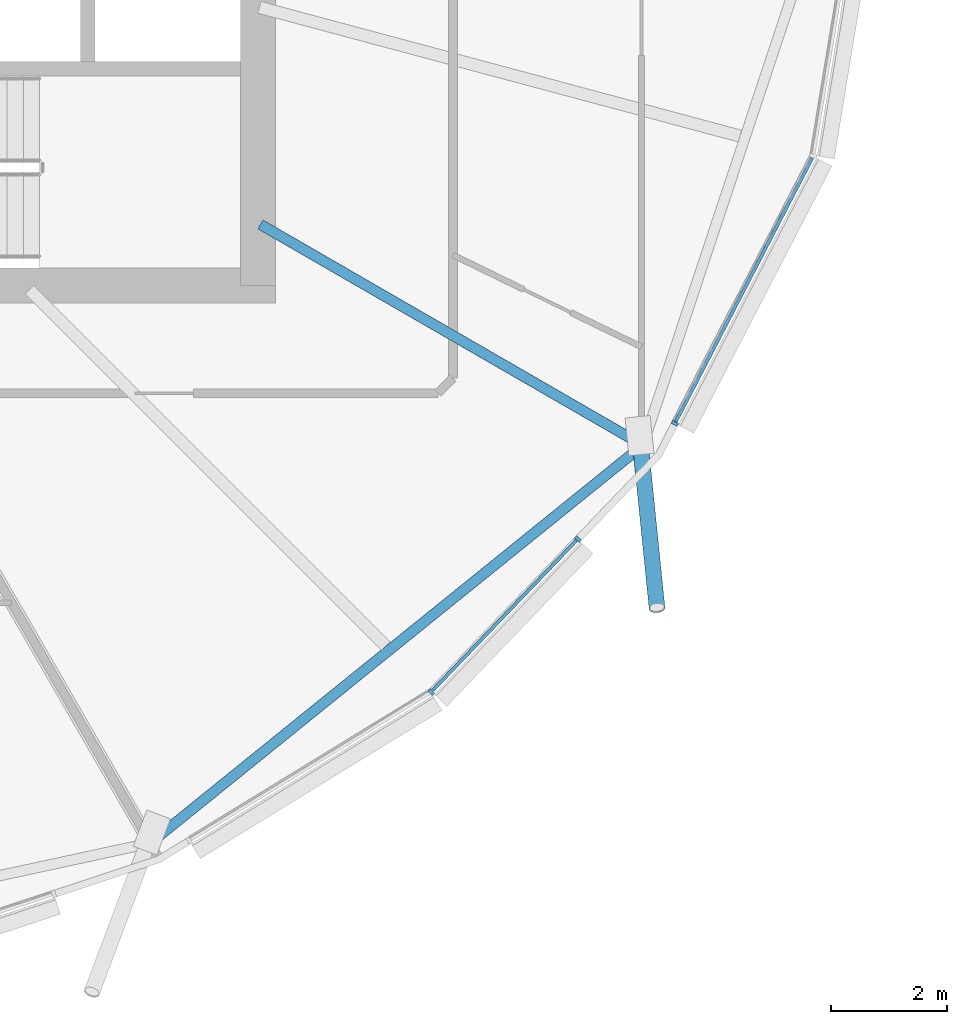
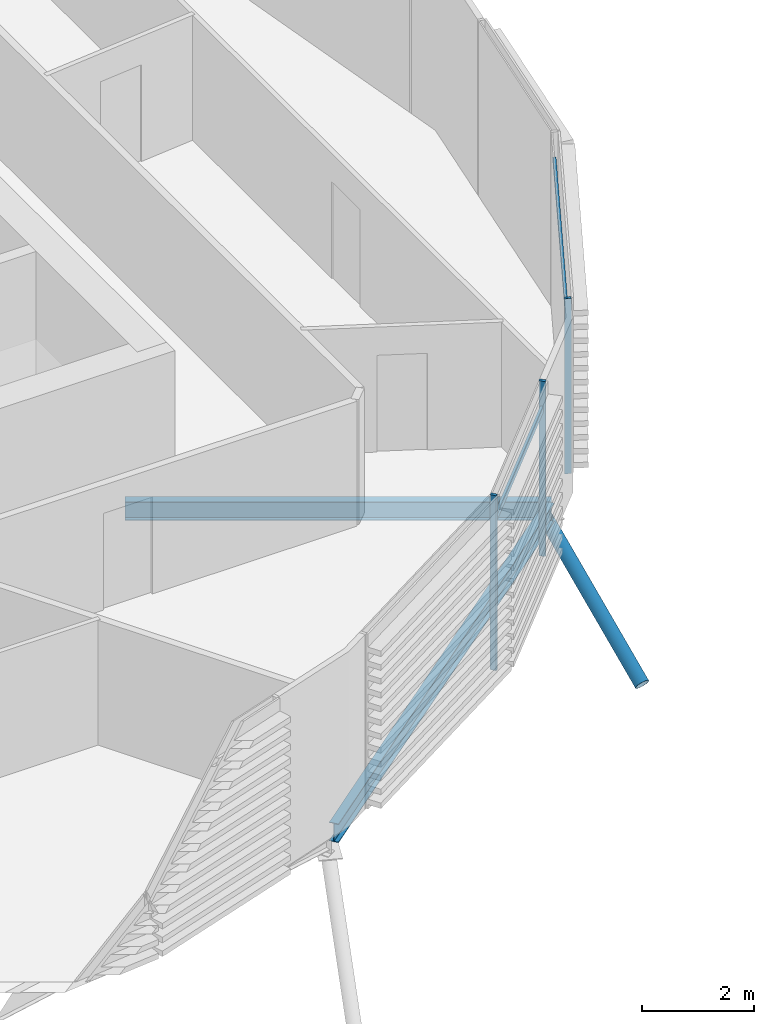
# One storey, part 6 of 37: 6 members, 2 beams, 1 element without a shape of its own.
"""IFC4 building model written with IfcOpenShell, lengths in metres."""

from ifc_helpers import new_model, si_unit, direction, frame, origin, origin_2d, place, context, subcontext, project, spatial, rectangle, hollow_circle, i_section, extrude, clip, halfspace, material, material_profile, profile_set, type_object, element, aggregate, save


model = new_model("IFC4")

# Units and contexts
model_context = context("Model", 3, precision=1e-05, world=origin(), true_north=direction((0.0, 1.0)))
body_context = subcontext(model_context, "Body", "Model", "MODEL_VIEW")
ifc_project = project(units=[si_unit("LENGTHUNIT", "METRE"), si_unit("AREAUNIT", "SQUARE_METRE"), si_unit("VOLUMEUNIT", "CUBIC_METRE"), si_unit("PLANEANGLEUNIT", "RADIAN"), si_unit("MASSUNIT", "GRAM", prefix="KILO")], contexts=[model_context])

# Site, building, storey
site_placement = place(None, origin())
site = spatial("IfcSite", under=ifc_project, at=site_placement, CompositionType="ELEMENT")
building_placement = place(site_placement, origin())
building = spatial("IfcBuilding", under=site, at=building_placement, Name="Rimbun Link Towers", CompositionType="ELEMENT")
storey_placement = place(building_placement, frame((0.0, 0.0, 166.5)))
storey = spatial("IfcBuildingStorey", under=building, at=storey_placement, Name="L40", CompositionType="ELEMENT", Elevation=166.5)

# Curtain wall, members
ifc_material_1 = material(Name="Aluminium 6063-T6 and low-iron glass", Category="aluminium")
curtain_wall_type = type_object("IfcCurtainWallType", Name="CW1-Z3 unitised vision wall (zone 3)", PredefinedType="NOTDEFINED", material=ifc_material_1)
curtain_wall_placement = place(storey_placement, origin())
curtain_wall = element("IfcCurtainWall", 1, at=curtain_wall_placement, inside=storey, type_object=curtain_wall_type, Name="CW1 L40 T1", PredefinedType="NOTDEFINED")
ifc_material_2 = material(Name="Aluminium 6063-T6", Category="aluminium")
ifc_material_profile_1 = material_profile(ifc_material_2, rectangle(XDim=0.1201171875, YDim=0.06005859375, at=origin_2d()), Name="MULLION 60X120")
ifc_profile_set_1 = profile_set([ifc_material_profile_1], Name="Aluminium 6063-T6")
member_type_1 = type_object("IfcMemberType", Name="CW1 mullion 60X120", PredefinedType="MULLION", material=ifc_profile_set_1)
member_1_placement = place(storey_placement, frame((-16.76953125, -14.989501953125, 0.0), z_axis=(0.0, 0.0, 1.0), x_axis=(0.627675785623, -0.778474860315, 0.0)))
member_1 = element("IfcMember", 2, at=member_1_placement, type_object=member_type_1, Name="CW1 mullion", PredefinedType="MULLION", context=body_context, shape_type="SweptSolid", body=[
    extrude(rectangle(XDim=0.1201171875, YDim=0.06005859375, at=origin_2d()), origin(), (0.0, 0.0, 1.0), 3.800048828125),
])
member_2_placement = place(storey_placement, frame((-14.25048828125, -12.362548828125, 0.0), z_axis=(0.0, 0.0, 1.0), x_axis=(0.721847376977, -0.692052284405, 0.0)))
member_2 = element("IfcMember", 3, at=member_2_placement, type_object=member_type_1, Name="CW1 mullion", PredefinedType="MULLION", context=body_context, shape_type="SweptSolid", body=[
    extrude(rectangle(XDim=0.1201171875, YDim=0.06005859375, at=origin_2d()), origin(), (0.0, 0.0, 1.0), 3.800048828125),
])
member_3_placement = place(storey_placement, frame((-12.580810546875, -10.3720703125, 0.0), z_axis=(0.0, 0.0, 1.0), x_axis=(0.888144396677, -0.459564501078, 0.0)))
member_3 = element("IfcMember", 4, at=member_3_placement, type_object=member_type_1, Name="CW1 mullion", PredefinedType="MULLION", context=body_context, shape_type="SweptSolid", body=[
    extrude(rectangle(XDim=0.1201171875, YDim=0.06005859375, at=origin_2d()), origin(), (0.0, 0.0, 1.0), 3.800048828125),
])
ifc_material_3 = material(Name="Aluminium 6063-T6", Category="aluminium")
ifc_material_profile_2 = material_profile(ifc_material_3, rectangle(XDim=0.06005859375, YDim=0.1201171875, at=origin_2d()), Name="TRANSOM 60X120")
ifc_profile_set_2 = profile_set([ifc_material_profile_2], Name="Aluminium 6063-T6")
member_type_2 = type_object("IfcMemberType", Name="CW1 transom 60X120", PredefinedType="USERDEFINED", material=ifc_profile_set_2)
member_4_placement = place(storey_placement, frame((-14.272705078125, -12.3828125, 3.199951171875), z_axis=(-0.692049349553, -0.721850190679, 0.0), x_axis=(0.721850190679, -0.692049349553, 0.0)))
member_4 = element("IfcMember", 5, at=member_4_placement, type_object=member_type_2, Name="CW1 transom", ObjectType="TRANSOM", PredefinedType="USERDEFINED", context=body_context, shape_type="SweptSolid", body=[
    extrude(rectangle(XDim=0.06005859375, YDim=0.1201171875, at=origin_2d()), origin(), (0.0, 0.0, 1.0), 3.57177734375),
])
member_5_placement = place(storey_placement, frame((-10.22314453125, -5.811279296875, 3.199951171875), z_axis=(-0.459568651835, -0.888142248883, 0.0), x_axis=(0.888142248883, -0.459568651835, 0.0)))
member_5 = element("IfcMember", 6, at=member_5_placement, type_object=member_type_2, Name="CW1 transom", ObjectType="TRANSOM", PredefinedType="USERDEFINED", context=body_context, shape_type="SweptSolid", body=[
    extrude(rectangle(XDim=0.06005859375, YDim=0.1201171875, at=origin_2d()), origin(), (0.0, 0.0, 1.0), 5.104248046875),
])
aggregate(curtain_wall, [member_1, member_2, member_3, member_4, member_5])

# Member
ifc_material_4 = material(Name="Steel S355J2H", Category="steel")
ifc_material_profile_3 = material_profile(ifc_material_4, hollow_circle(Radius=0.136474609375, WallThickness=0.012451171875, at=origin_2d()), Name="CHS 273x12.5")
ifc_profile_set_3 = profile_set([ifc_material_profile_3], Name="Steel S355J2H")
member_type_3 = type_object("IfcMemberType", Name="Floor edge link CHS 273x12.5", PredefinedType="BRACE", material=ifc_profile_set_3)
member_6_placement = place(storey_placement, frame((-13.176025390625, -10.7236328125, -0.670166015625), z_axis=(0.083960047693, -0.828362857587, -0.553864321438), x_axis=(0.994902660117, 0.100839956823, 0.0)))
element("IfcMember", 7, at=member_6_placement, inside=storey, type_object=member_type_3, Name="Floor edge link T1 L40 22", PredefinedType="BRACE", context=body_context, shape_type="Clipping", body=[
    clip(extrude(hollow_circle(Radius=0.136474609375, WallThickness=0.012451171875, at=origin_2d()), frame((0.0, 0.0, -0.428466796875)), (0.0, 0.0, 1.0), 3.83935546875), halfspace(frame((0.0, 0.0, -0.201904296875), z_axis=(0.0, 0.832606938139, -0.553864321438)), False)),
])

# Beams
ifc_material_5 = material(Name="Steel S355J2", Category="steel")
ifc_material_profile_4 = material_profile(ifc_material_5, i_section(OverallWidth=0.177978515625, OverallDepth=0.406494140625, WebThickness=0.0078125, FlangeThickness=0.0126953125, at=origin_2d()), Name="UB 406x178x60")
ifc_profile_set_4 = profile_set([ifc_material_profile_4], Name="Steel S355J2")
beam_type = type_object("IfcBeamType", Name="UB 406x178x60", PredefinedType="BEAM", material=ifc_profile_set_4)
beam_1_placement = place(storey_placement, frame((-19.70458984375, -6.954345703125, -0.353271484375), z_axis=(0.866013068262, -0.500021365143, 0.0), x_axis=(0.500021365143, 0.866013068262, 0.0)))
element("IfcBeam", 8, at=beam_1_placement, inside=storey, type_object=beam_type, Name="Radial beam T1 L40 22", PredefinedType="BEAM", context=body_context, shape_type="SweptSolid", body=[
    extrude(i_section(OverallWidth=0.177978515625, OverallDepth=0.406494140625, WebThickness=0.0078125, FlangeThickness=0.0126953125, at=origin_2d()), origin(), (0.0, 0.0, 1.0), 7.588623046875),
])
beam_2_placement = place(storey_placement, frame((-21.507080078125, -17.511474609375, -0.353271484375), z_axis=(0.777982483739, 0.628285965938, 0.0), x_axis=(-0.628285965938, 0.777982483739, 0.0)))
element("IfcBeam", 9, at=beam_2_placement, inside=storey, type_object=beam_type, Name="Edge beam T1 L40 20-22", PredefinedType="BEAM", context=body_context, shape_type="SweptSolid", body=[
    extrude(i_section(OverallWidth=0.177978515625, OverallDepth=0.406494140625, WebThickness=0.0078125, FlangeThickness=0.0126953125, at=origin_2d()), origin(), (0.0, 0.0, 1.0), 10.667724609375),
])

save(model, "model.ifc")
